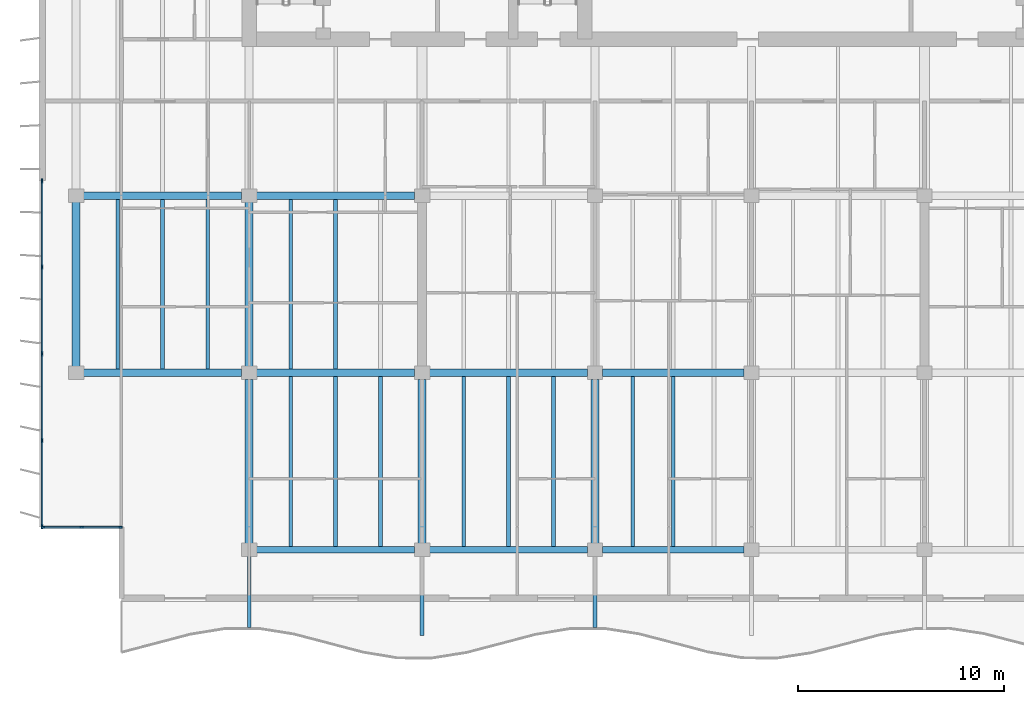
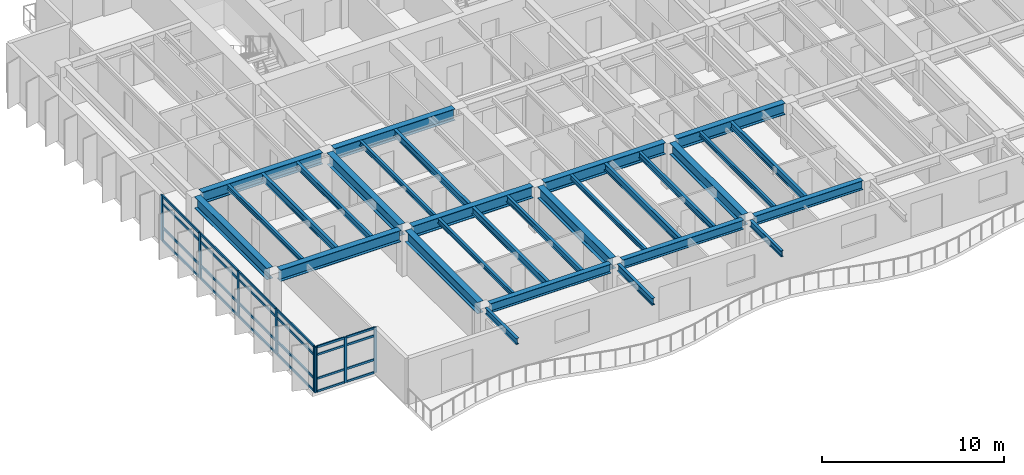
# One storey, part 2 of 16: 32 members, 30 beams, 2 elements without a shape of their own.
"""IFC4 building model written with IfcOpenShell, lengths in metres."""

from ifc_helpers import new_model, si_unit, direction, frame, origin, origin_2d, place, context, subcontext, project, spatial, rectangle, i_section, extrude, material, layer, layer_set, material_profile, profile_set, type_object, element, aggregate, save


model = new_model("IFC4")

# Units and contexts
model_context = context("Model", 3, precision=1e-05, world=origin(), true_north=direction((0.0, 1.0)))
body_context = subcontext(model_context, "Body", "Model", "MODEL_VIEW")
ifc_project = project(units=[si_unit("LENGTHUNIT", "METRE"), si_unit("AREAUNIT", "SQUARE_METRE"), si_unit("VOLUMEUNIT", "CUBIC_METRE"), si_unit("PLANEANGLEUNIT", "RADIAN"), si_unit("MASSUNIT", "GRAM", prefix="KILO")], contexts=[model_context])

# Site, building, storey
site_placement = place(None, origin())
site = spatial("IfcSite", under=ifc_project, at=site_placement, CompositionType="ELEMENT")
building_placement = place(site_placement, origin())
building = spatial("IfcBuilding", under=site, at=building_placement, Name="Caelmar Bay Residences", CompositionType="ELEMENT")
storey_placement = place(building_placement, frame((0.0, 0.0, 233.10009765625)))
storey = spatial("IfcBuildingStorey", under=building, at=storey_placement, Name="L65", CompositionType="ELEMENT", Elevation=233.10009765625)

# Beams
ifc_material_1 = material(Name="Steel ASTM A992 Grade 50", Category="steel")
ifc_material_profile_1 = material_profile(ifc_material_1, i_section(OverallWidth=0.177978515625, OverallDepth=0.406005859375, WebThickness=0.0078125, FlangeThickness=0.0126953125, FilletRadius=0.0087890625, at=origin_2d()), Name="W16X40")
ifc_profile_set_1 = profile_set([ifc_material_profile_1], Name="Steel ASTM A992 Grade 50")
beam_type_1 = type_object("IfcBeamType", Name="BM-BAL-W16X40", PredefinedType="JOIST", material=ifc_profile_set_1)
for number, where, z_axis, x_axis, name in (
    (1, (24.68408203125, 12.362548828125, 2.846923828125), (0.0, 1.0, 0.0), (-1.0, 0.0, 0.0), "L65 Composite Floor Joist 3"),
    (2, (33.083984375, 12.362548828125, 2.846923828125), (0.0, 1.0, 0.0), (-1.0, 0.0, 0.0), "L65 Composite Floor Joist 6"),
):
    element("IfcBeam", number, at=place(storey_placement, frame(where, z_axis=z_axis, x_axis=x_axis)), inside=storey, type_object=beam_type_1, Name=name, PredefinedType="JOIST", context=body_context, shape_type="SweptSolid", body=[
        extrude(i_section(OverallWidth=0.177978515625, OverallDepth=0.406005859375, WebThickness=0.0078125, FlangeThickness=0.0126953125, FilletRadius=0.0087890625, at=origin_2d()), origin(), (0.0, 0.0, 1.0), 8.2470703125),
    ])
beam_1_placement = place(storey_placement, frame((16.283935546875, 20.990478515625, 2.846923828125), z_axis=(0.0, 1.0, 0.0), x_axis=(-1.0, 0.0, 0.0)))
element("IfcBeam", 3, at=beam_1_placement, inside=storey, type_object=beam_type_1, Name="L65 Composite Floor Joist 18", PredefinedType="JOIST", context=body_context, shape_type="SweptSolid", body=[
    extrude(i_section(OverallWidth=0.177978515625, OverallDepth=0.406005859375, WebThickness=0.0078125, FlangeThickness=0.0126953125, FilletRadius=0.0087890625, at=origin_2d()), origin(), (0.0, 0.0, 1.0), 8.218994140625),
])
for number, where, z_axis, x_axis, name in (
    (4, (18.300048828125, 11.885009765625, 2.846923828125), (0.0, -1.0, 0.0), (1.0, 0.0, 0.0), "L66 South Balcony Cantilever Bracket 1"),
    (5, (35.10009765625, 11.885009765625, 2.846923828125), (0.0, -1.0, 0.0), (1.0, 0.0, 0.0), "L66 South Balcony Cantilever Bracket 3"),
):
    element("IfcBeam", number, at=place(storey_placement, frame(where, z_axis=z_axis, x_axis=x_axis)), inside=storey, type_object=beam_type_1, Name=name, PredefinedType="JOIST", context=body_context, shape_type="SweptSolid", body=[
        extrude(i_section(OverallWidth=0.177978515625, OverallDepth=0.406005859375, WebThickness=0.0078125, FlangeThickness=0.0126953125, FilletRadius=0.0087890625, at=origin_2d()), origin(), (0.0, 0.0, 1.0), 3.449951171875),
    ])
ifc_material_profile_2 = material_profile(ifc_material_1, i_section(OverallWidth=0.193115234375, OverallDepth=0.467041015625, WebThickness=0.011474609375, FlangeThickness=0.01904296875, FilletRadius=0.01025390625, at=origin_2d()), Name="W18X65")
ifc_profile_set_2 = profile_set([ifc_material_profile_2], Name="Steel ASTM A992 Grade 50")
beam_type_2 = type_object("IfcBeamType", Name="BM-BAL-W18X65", PredefinedType="BEAM", material=ifc_profile_set_2)
beam_2_placement = place(storey_placement, frame((26.699951171875, 11.885009765625, 2.81640625), z_axis=(0.0, -1.0, 0.0), x_axis=(1.0, 0.0, 0.0)))
element("IfcBeam", 6, at=beam_2_placement, inside=storey, type_object=beam_type_2, Name="L66 South Balcony Cantilever Bracket 2", PredefinedType="BEAM", context=body_context, shape_type="SweptSolid", body=[
    extrude(i_section(OverallWidth=0.193115234375, OverallDepth=0.467041015625, WebThickness=0.011474609375, FlangeThickness=0.01904296875, FilletRadius=0.01025390625, at=origin_2d()), origin(), (0.0, 0.0, 1.0), 3.85009765625),
])
ifc_material_profile_3 = material_profile(ifc_material_1, i_section(OverallWidth=0.381103515625, OverallDepth=0.77197265625, WebThickness=0.0166015625, FlangeThickness=0.027099609375, FilletRadius=0.0166015625, at=origin_2d()), Name="W30X173")
ifc_profile_set_3 = profile_set([ifc_material_profile_3], Name="Steel ASTM A992 Grade 50")
beam_type_3 = type_object("IfcBeamType", Name="BM-GRD-W30X173", PredefinedType="BEAM", material=ifc_profile_set_3)
beam_3_placement = place(storey_placement, frame((10.264892578125, 20.800048828125, 2.663818359375), z_axis=(1.0, 0.0, 0.0), x_axis=(0.0, 1.0, 0.0)))
element("IfcBeam", 7, at=beam_3_placement, inside=storey, type_object=beam_type_3, Name="L65 East-West Girder Y=20.80 (9.9-18.3)", PredefinedType="BEAM", context=body_context, shape_type="SweptSolid", body=[
    extrude(i_section(OverallWidth=0.381103515625, OverallDepth=0.77197265625, WebThickness=0.0166015625, FlangeThickness=0.027099609375, FilletRadius=0.0166015625, at=origin_2d()), origin(), (0.0, 0.0, 1.0), 7.670166015625),
])
beam_4_placement = place(storey_placement, frame((18.6650390625, 20.800048828125, 2.663818359375), z_axis=(1.0, 0.0, 0.0), x_axis=(0.0, 1.0, 0.0)))
element("IfcBeam", 8, at=beam_4_placement, inside=storey, type_object=beam_type_3, Name="L65 East-West Girder Y=20.80 (18.3-26.7)", PredefinedType="BEAM", context=body_context, shape_type="SweptSolid", body=[
    extrude(i_section(OverallWidth=0.381103515625, OverallDepth=0.77197265625, WebThickness=0.0166015625, FlangeThickness=0.027099609375, FilletRadius=0.0166015625, at=origin_2d()), origin(), (0.0, 0.0, 1.0), 7.669921875),
])
beam_5_placement = place(storey_placement, frame((27.06494140625, 20.800048828125, 2.663818359375), z_axis=(1.0, 0.0, 0.0), x_axis=(0.0, 1.0, 0.0)))
element("IfcBeam", 9, at=beam_5_placement, inside=storey, type_object=beam_type_3, Name="L65 East-West Girder Y=20.80 (26.7-35.1)", PredefinedType="BEAM", context=body_context, shape_type="SweptSolid", body=[
    extrude(i_section(OverallWidth=0.381103515625, OverallDepth=0.77197265625, WebThickness=0.0166015625, FlangeThickness=0.027099609375, FilletRadius=0.0166015625, at=origin_2d()), origin(), (0.0, 0.0, 1.0), 7.670166015625),
])
beam_6_placement = place(storey_placement, frame((35.465087890625, 20.800048828125, 2.663818359375), z_axis=(1.0, 0.0, 0.0), x_axis=(0.0, 1.0, 0.0)))
element("IfcBeam", 10, at=beam_6_placement, inside=storey, type_object=beam_type_3, Name="L65 East-West Girder Y=20.80 (35.1-42.7)", PredefinedType="BEAM", context=body_context, shape_type="SweptSolid", body=[
    extrude(i_section(OverallWidth=0.381103515625, OverallDepth=0.77197265625, WebThickness=0.0166015625, FlangeThickness=0.027099609375, FilletRadius=0.0166015625, at=origin_2d()), origin(), (0.0, 0.0, 1.0), 6.869873046875),
])
beam_7_placement = place(storey_placement, frame((10.264892578125, 29.39990234375, 2.663818359375), z_axis=(1.0, 0.0, 0.0), x_axis=(0.0, 1.0, 0.0)))
element("IfcBeam", 11, at=beam_7_placement, inside=storey, type_object=beam_type_3, Name="L65 East-West Girder Y=29.40 (9.9-18.3)", PredefinedType="BEAM", context=body_context, shape_type="SweptSolid", body=[
    extrude(i_section(OverallWidth=0.381103515625, OverallDepth=0.77197265625, WebThickness=0.0166015625, FlangeThickness=0.027099609375, FilletRadius=0.0166015625, at=origin_2d()), origin(), (0.0, 0.0, 1.0), 7.670166015625),
])
beam_8_placement = place(storey_placement, frame((18.6650390625, 29.39990234375, 2.663818359375), z_axis=(1.0, 0.0, 0.0), x_axis=(0.0, 1.0, 0.0)))
element("IfcBeam", 12, at=beam_8_placement, inside=storey, type_object=beam_type_3, Name="L65 East-West Girder Y=29.40 (18.3-26.7)", PredefinedType="BEAM", context=body_context, shape_type="SweptSolid", body=[
    extrude(i_section(OverallWidth=0.381103515625, OverallDepth=0.77197265625, WebThickness=0.0166015625, FlangeThickness=0.027099609375, FilletRadius=0.0166015625, at=origin_2d()), origin(), (0.0, 0.0, 1.0), 7.669921875),
])
beam_9_placement = place(storey_placement, frame((9.89990234375, 21.114990234375, 2.663818359375), z_axis=(0.0, 1.0, 0.0), x_axis=(-1.0, 0.0, 0.0)))
element("IfcBeam", 13, at=beam_9_placement, inside=storey, type_object=beam_type_3, Name="L65 North-South Girder X=9.90 (20.8-29.4)", PredefinedType="BEAM", context=body_context, shape_type="SweptSolid", body=[
    extrude(i_section(OverallWidth=0.381103515625, OverallDepth=0.77197265625, WebThickness=0.0166015625, FlangeThickness=0.027099609375, FilletRadius=0.0166015625, at=origin_2d()), origin(), (0.0, 0.0, 1.0), 7.969970703125),
])
beam_10_placement = place(storey_placement, frame((18.300048828125, 12.514892578125, 2.663818359375), z_axis=(0.0, 1.0, 0.0), x_axis=(-1.0, 0.0, 0.0)))
element("IfcBeam", 14, at=beam_10_placement, inside=storey, type_object=beam_type_3, Name="L65 North-South Girder X=18.30 (12.2-20.8)", PredefinedType="BEAM", context=body_context, shape_type="SweptSolid", body=[
    extrude(i_section(OverallWidth=0.381103515625, OverallDepth=0.77197265625, WebThickness=0.0166015625, FlangeThickness=0.027099609375, FilletRadius=0.0166015625, at=origin_2d()), origin(), (0.0, 0.0, 1.0), 7.97021484375),
])
beam_11_placement = place(storey_placement, frame((18.300048828125, 21.114990234375, 2.663818359375), z_axis=(0.0, 1.0, 0.0), x_axis=(-1.0, 0.0, 0.0)))
element("IfcBeam", 15, at=beam_11_placement, inside=storey, type_object=beam_type_3, Name="L65 North-South Girder X=18.30 (20.8-29.4)", PredefinedType="BEAM", context=body_context, shape_type="SweptSolid", body=[
    extrude(i_section(OverallWidth=0.381103515625, OverallDepth=0.77197265625, WebThickness=0.0166015625, FlangeThickness=0.027099609375, FilletRadius=0.0166015625, at=origin_2d()), origin(), (0.0, 0.0, 1.0), 7.969970703125),
])
for number, where, z_axis, x_axis, name in (
    (16, (26.699951171875, 12.514892578125, 2.663818359375), (0.0, 1.0, 0.0), (-1.0, 0.0, 0.0), "L65 North-South Girder X=26.70 (12.2-20.8)"),
    (17, (35.10009765625, 12.514892578125, 2.663818359375), (0.0, 1.0, 0.0), (-1.0, 0.0, 0.0), "L65 North-South Girder X=35.10 (12.2-20.8)"),
):
    element("IfcBeam", number, at=place(storey_placement, frame(where, z_axis=z_axis, x_axis=x_axis)), inside=storey, type_object=beam_type_3, Name=name, PredefinedType="BEAM", context=body_context, shape_type="SweptSolid", body=[
        extrude(i_section(OverallWidth=0.381103515625, OverallDepth=0.77197265625, WebThickness=0.0166015625, FlangeThickness=0.027099609375, FilletRadius=0.0166015625, at=origin_2d()), origin(), (0.0, 0.0, 1.0), 7.97021484375),
    ])
ifc_material_profile_4 = material_profile(ifc_material_1, i_section(OverallWidth=0.1650390625, OverallDepth=0.31005859375, WebThickness=0.005859375, FlangeThickness=0.009765625, FilletRadius=0.007568359375, at=origin_2d()), Name="W12X26")
ifc_profile_set_4 = profile_set([ifc_material_profile_4], Name="Steel ASTM A992 Grade 50")
beam_type_4 = type_object("IfcBeamType", Name="BM-JST-W12X26", PredefinedType="JOIST", material=ifc_profile_set_4)
for number, where, z_axis, x_axis, name in (
    (18, (20.31591796875, 12.362548828125, 2.89501953125), (0.0, 1.0, 0.0), (-1.0, 0.0, 0.0), "L65 Composite Floor Joist 1"),
    (19, (28.716064453125, 12.362548828125, 2.89501953125), (0.0, 1.0, 0.0), (-1.0, 0.0, 0.0), "L65 Composite Floor Joist 4"),
    (20, (36.924072265625, 12.362548828125, 2.89501953125), (0.0, 1.0, 0.0), (-1.0, 0.0, 0.0), "L65 Composite Floor Joist 7"),
):
    element("IfcBeam", number, at=place(storey_placement, frame(where, z_axis=z_axis, x_axis=x_axis)), inside=storey, type_object=beam_type_4, Name=name, PredefinedType="JOIST", context=body_context, shape_type="SweptSolid", body=[
        extrude(i_section(OverallWidth=0.1650390625, OverallDepth=0.31005859375, WebThickness=0.005859375, FlangeThickness=0.009765625, FilletRadius=0.007568359375, at=origin_2d()), origin(), (0.0, 0.0, 1.0), 8.2470703125),
    ])
for number, where, z_axis, x_axis, name in (
    (21, (11.916015625, 20.990478515625, 2.89501953125), (0.0, 1.0, 0.0), (-1.0, 0.0, 0.0), "L65 Composite Floor Joist 16"),
    (22, (20.31591796875, 20.990478515625, 2.89501953125), (0.0, 1.0, 0.0), (-1.0, 0.0, 0.0), "L65 Composite Floor Joist 19"),
):
    element("IfcBeam", number, at=place(storey_placement, frame(where, z_axis=z_axis, x_axis=x_axis)), inside=storey, type_object=beam_type_4, Name=name, PredefinedType="JOIST", context=body_context, shape_type="SweptSolid", body=[
        extrude(i_section(OverallWidth=0.1650390625, OverallDepth=0.31005859375, WebThickness=0.005859375, FlangeThickness=0.009765625, FilletRadius=0.007568359375, at=origin_2d()), origin(), (0.0, 0.0, 1.0), 8.218994140625),
    ])
ifc_material_profile_5 = material_profile(ifc_material_1, i_section(OverallWidth=0.19091796875, OverallDepth=0.45703125, WebThickness=0.009033203125, FlangeThickness=0.014404296875, FilletRadius=0.01025390625, at=origin_2d()), Name="W18X50")
ifc_profile_set_5 = profile_set([ifc_material_profile_5], Name="Steel ASTM A992 Grade 50")
beam_type_5 = type_object("IfcBeamType", Name="BM-JST-W18X50", PredefinedType="JOIST", material=ifc_profile_set_5)
for number, where, z_axis, x_axis, name in (
    (23, (22.5, 12.362548828125, 2.8212890625), (0.0, 1.0, 0.0), (-1.0, 0.0, 0.0), "L65 Composite Floor Joist 2"),
    (24, (30.89990234375, 12.362548828125, 2.8212890625), (0.0, 1.0, 0.0), (-1.0, 0.0, 0.0), "L65 Composite Floor Joist 5"),
    (25, (38.89990234375, 12.362548828125, 2.8212890625), (0.0, 1.0, 0.0), (-1.0, 0.0, 0.0), "L65 Composite Floor Joist 8"),
):
    element("IfcBeam", number, at=place(storey_placement, frame(where, z_axis=z_axis, x_axis=x_axis)), inside=storey, type_object=beam_type_5, Name=name, PredefinedType="JOIST", context=body_context, shape_type="SweptSolid", body=[
        extrude(i_section(OverallWidth=0.19091796875, OverallDepth=0.45703125, WebThickness=0.009033203125, FlangeThickness=0.014404296875, FilletRadius=0.01025390625, at=origin_2d()), origin(), (0.0, 0.0, 1.0), 8.2470703125),
    ])
for number, where, z_axis, x_axis, name in (
    (26, (14.10009765625, 20.990478515625, 2.8212890625), (0.0, 1.0, 0.0), (-1.0, 0.0, 0.0), "L65 Composite Floor Joist 17"),
    (27, (22.5, 20.990478515625, 2.8212890625), (0.0, 1.0, 0.0), (-1.0, 0.0, 0.0), "L65 Composite Floor Joist 20"),
):
    element("IfcBeam", number, at=place(storey_placement, frame(where, z_axis=z_axis, x_axis=x_axis)), inside=storey, type_object=beam_type_5, Name=name, PredefinedType="JOIST", context=body_context, shape_type="SweptSolid", body=[
        extrude(i_section(OverallWidth=0.19091796875, OverallDepth=0.45703125, WebThickness=0.009033203125, FlangeThickness=0.014404296875, FilletRadius=0.01025390625, at=origin_2d()), origin(), (0.0, 0.0, 1.0), 8.218994140625),
    ])
ifc_material_profile_6 = material_profile(ifc_material_1, i_section(OverallWidth=0.324951171875, OverallDepth=0.616943359375, WebThickness=0.013916015625, FlangeThickness=0.021484375, FilletRadius=0.0126953125, at=origin_2d()), Name="W24X117")
ifc_profile_set_6 = profile_set([ifc_material_profile_6], Name="Steel ASTM A992 Grade 50")
beam_type_6 = type_object("IfcBeamType", Name="BM-SPN-W24X117", PredefinedType="SPANDREL", material=ifc_profile_set_6)
beam_12_placement = place(storey_placement, frame((18.6650390625, 12.199951171875, 2.741455078125), z_axis=(1.0, 0.0, 0.0), x_axis=(0.0, 1.0, 0.0)))
element("IfcBeam", 28, at=beam_12_placement, inside=storey, type_object=beam_type_6, Name="L65 East-West Girder Y=12.20 (18.3-26.7)", PredefinedType="SPANDREL", context=body_context, shape_type="SweptSolid", body=[
    extrude(i_section(OverallWidth=0.324951171875, OverallDepth=0.616943359375, WebThickness=0.013916015625, FlangeThickness=0.021484375, FilletRadius=0.0126953125, at=origin_2d()), origin(), (0.0, 0.0, 1.0), 7.669921875),
])
beam_13_placement = place(storey_placement, frame((27.06494140625, 12.199951171875, 2.741455078125), z_axis=(1.0, 0.0, 0.0), x_axis=(0.0, 1.0, 0.0)))
element("IfcBeam", 29, at=beam_13_placement, inside=storey, type_object=beam_type_6, Name="L65 East-West Girder Y=12.20 (26.7-35.1)", PredefinedType="SPANDREL", context=body_context, shape_type="SweptSolid", body=[
    extrude(i_section(OverallWidth=0.324951171875, OverallDepth=0.616943359375, WebThickness=0.013916015625, FlangeThickness=0.021484375, FilletRadius=0.0126953125, at=origin_2d()), origin(), (0.0, 0.0, 1.0), 7.670166015625),
])
beam_14_placement = place(storey_placement, frame((35.465087890625, 12.199951171875, 2.741455078125), z_axis=(1.0, 0.0, 0.0), x_axis=(0.0, 1.0, 0.0)))
element("IfcBeam", 30, at=beam_14_placement, inside=storey, type_object=beam_type_6, Name="L65 East-West Girder Y=12.20 (35.1-42.7)", PredefinedType="SPANDREL", context=body_context, shape_type="SweptSolid", body=[
    extrude(i_section(OverallWidth=0.324951171875, OverallDepth=0.616943359375, WebThickness=0.013916015625, FlangeThickness=0.021484375, FilletRadius=0.0126953125, at=origin_2d()), origin(), (0.0, 0.0, 1.0), 6.869873046875),
])

# Curtain wall, members
ifc_material_2 = material(Name="Anodised bronze aluminium 6063-T6 and laminated glass", Category="aluminium")
ifc_layer_1 = layer(ifc_material_2, 0.179931640625)
ifc_layer_set_1 = layer_set([ifc_layer_1], Name="Anodised bronze aluminium 6063-T6 and laminated glass")
curtain_wall_type_1 = type_object("IfcCurtainWallType", Name="CW6-NTC", PredefinedType="NOTDEFINED", material=ifc_layer_set_1)
curtain_wall_1_placement = place(storey_placement, origin())
curtain_wall_1 = element("IfcCurtainWall", 31, at=curtain_wall_1_placement, inside=storey, type_object=curtain_wall_type_1, Name="CW6 curtain wall L65", PredefinedType="NOTDEFINED")
ifc_material_3 = material(Name="Anodised bronze aluminium 6063-T6", Category="aluminium")
ifc_material_profile_7 = material_profile(ifc_material_3, rectangle(XDim=0.080078125, YDim=0.179931640625, at=origin_2d()), Name="CWM-80X180")
ifc_profile_set_7 = profile_set([ifc_material_profile_7], Name="Anodised bronze aluminium 6063-T6")
member_type_1 = type_object("IfcMemberType", Name="CWM-180", PredefinedType="MULLION", material=ifc_profile_set_7)
member_1_placement = place(storey_placement, frame((8.2900390625, 13.300048828125, 0.0), z_axis=(0.0, 0.0, 1.0), x_axis=(0.0, 1.0, 0.0)))
member_1 = element("IfcMember", 32, at=member_1_placement, type_object=member_type_1, Name="CW6 mullion 1", PredefinedType="MULLION", context=body_context, shape_type="SweptSolid", body=[
    extrude(rectangle(XDim=0.080078125, YDim=0.179931640625, at=origin_2d()), origin(), (0.0, 0.0, 1.0), 3.0498046875),
])
member_2_placement = place(storey_placement, frame((10.175048828125, 13.300048828125, 0.0), z_axis=(0.0, 0.0, 1.0), x_axis=(0.0, 1.0, 0.0)))
member_2 = element("IfcMember", 33, at=member_2_placement, type_object=member_type_1, Name="CW6 mullion 2", PredefinedType="MULLION", context=body_context, shape_type="SweptSolid", body=[
    extrude(rectangle(XDim=0.080078125, YDim=0.179931640625, at=origin_2d()), origin(), (0.0, 0.0, 1.0), 3.0498046875),
])
member_3_placement = place(storey_placement, frame((12.06005859375, 13.300048828125, 0.0), z_axis=(0.0, 0.0, 1.0), x_axis=(0.0, 1.0, 0.0)))
member_3 = element("IfcMember", 34, at=member_3_placement, type_object=member_type_1, Name="CW6 mullion 3", PredefinedType="MULLION", context=body_context, shape_type="SweptSolid", body=[
    extrude(rectangle(XDim=0.080078125, YDim=0.179931640625, at=origin_2d()), origin(), (0.0, 0.0, 1.0), 3.0498046875),
])

ifc_layer_2 = layer(ifc_material_2, 0.179931640625)
ifc_layer_set_2 = layer_set([ifc_layer_2], Name="Anodised bronze aluminium 6063-T6 and laminated glass")
curtain_wall_type_2 = type_object("IfcCurtainWallType", Name="CW5-Z4", PredefinedType="NOTDEFINED", material=ifc_layer_set_2)
curtain_wall_2_placement = place(storey_placement, origin())
curtain_wall_2 = element("IfcCurtainWall", 35, at=curtain_wall_2_placement, inside=storey, type_object=curtain_wall_type_2, Name="CW5 curtain wall L65", PredefinedType="NOTDEFINED")
ifc_material_profile_8 = material_profile(ifc_material_3, rectangle(XDim=0.080078125, YDim=0.219970703125, at=origin_2d()), Name="CWM-80X220")
ifc_profile_set_8 = profile_set([ifc_material_profile_8], Name="Anodised bronze aluminium 6063-T6")
member_type_2 = type_object("IfcMemberType", Name="CWM-220", PredefinedType="MULLION", material=ifc_profile_set_8)
member_4_placement = place(storey_placement, frame((8.25, 13.340087890625, 0.0), z_axis=(0.0, 0.0, 1.0), x_axis=(-1.0, 0.0, 0.0)))
member_4 = element("IfcMember", 36, at=member_4_placement, type_object=member_type_2, Name="CW5 mullion 1", PredefinedType="MULLION", context=body_context, shape_type="SweptSolid", body=[
    extrude(rectangle(XDim=0.080078125, YDim=0.219970703125, at=origin_2d()), origin(), (0.0, 0.0, 1.0), 3.0498046875),
])
member_5_placement = place(storey_placement, frame((8.25, 17.512451171875, 0.0), z_axis=(0.0, 0.0, 1.0), x_axis=(-1.0, 0.0, 0.0)))
member_5 = element("IfcMember", 37, at=member_5_placement, type_object=member_type_2, Name="CW5 mullion 2", PredefinedType="MULLION", context=body_context, shape_type="SweptSolid", body=[
    extrude(rectangle(XDim=0.080078125, YDim=0.219970703125, at=origin_2d()), origin(), (0.0, 0.0, 1.0), 3.0498046875),
])
member_6_placement = place(storey_placement, frame((8.25, 21.72509765625, 0.0), z_axis=(0.0, 0.0, 1.0), x_axis=(-1.0, 0.0, 0.0)))
member_6 = element("IfcMember", 38, at=member_6_placement, type_object=member_type_2, Name="CW5 mullion 3", PredefinedType="MULLION", context=body_context, shape_type="SweptSolid", body=[
    extrude(rectangle(XDim=0.080078125, YDim=0.219970703125, at=origin_2d()), origin(), (0.0, 0.0, 1.0), 3.0498046875),
])
member_7_placement = place(storey_placement, frame((8.25, 25.9375, 0.0), z_axis=(0.0, 0.0, 1.0), x_axis=(-1.0, 0.0, 0.0)))
member_7 = element("IfcMember", 39, at=member_7_placement, type_object=member_type_2, Name="CW5 mullion 4", PredefinedType="MULLION", context=body_context, shape_type="SweptSolid", body=[
    extrude(rectangle(XDim=0.080078125, YDim=0.219970703125, at=origin_2d()), origin(), (0.0, 0.0, 1.0), 3.0498046875),
])
member_8_placement = place(storey_placement, frame((8.25, 30.110107421875, 0.0), z_axis=(0.0, 0.0, 1.0), x_axis=(-1.0, 0.0, 0.0)))
member_8 = element("IfcMember", 40, at=member_8_placement, type_object=member_type_2, Name="CW5 mullion 5", PredefinedType="MULLION", context=body_context, shape_type="SweptSolid", body=[
    extrude(rectangle(XDim=0.080078125, YDim=0.219970703125, at=origin_2d()), origin(), (0.0, 0.0, 1.0), 3.0498046875),
])

# Member
ifc_material_profile_9 = material_profile(ifc_material_3, rectangle(XDim=0.080078125, YDim=0.139892578125, at=origin_2d()), Name="CWT-80X140")
ifc_profile_set_9 = profile_set([ifc_material_profile_9], Name="Anodised bronze aluminium 6063-T6")
member_type_3 = type_object("IfcMemberType", Name="CWT-140", PredefinedType="NOTDEFINED", material=ifc_profile_set_9)
member_9_placement = place(storey_placement, frame((8.330078125, 13.300048828125, 0.039794921875), z_axis=(1.0, 0.0, 0.0), x_axis=(0.0, 1.0, 0.0)))
member_9 = element("IfcMember", 41, at=member_9_placement, type_object=member_type_3, Name="CW6 transom 1.1", ObjectType="TRANSOM", PredefinedType="USERDEFINED", context=body_context, shape_type="SweptSolid", body=[
    extrude(rectangle(XDim=0.080078125, YDim=0.139892578125, at=origin_2d()), origin(), (0.0, 0.0, 1.0), 1.804931640625),
])

member_10_placement = place(storey_placement, frame((8.330078125, 13.300048828125, 0.89990234375), z_axis=(1.0, 0.0, 0.0), x_axis=(0.0, 1.0, 0.0)))
member_10 = element("IfcMember", 42, at=member_10_placement, type_object=member_type_3, Name="CW6 transom 1.2", ObjectType="TRANSOM", PredefinedType="USERDEFINED", context=body_context, shape_type="SweptSolid", body=[
    extrude(rectangle(XDim=0.080078125, YDim=0.139892578125, at=origin_2d()), origin(), (0.0, 0.0, 1.0), 1.804931640625),
])

member_11_placement = place(storey_placement, frame((8.330078125, 13.300048828125, 2.5), z_axis=(1.0, 0.0, 0.0), x_axis=(0.0, 1.0, 0.0)))
member_11 = element("IfcMember", 43, at=member_11_placement, type_object=member_type_3, Name="CW6 transom 1.3", ObjectType="TRANSOM", PredefinedType="USERDEFINED", context=body_context, shape_type="SweptSolid", body=[
    extrude(rectangle(XDim=0.080078125, YDim=0.139892578125, at=origin_2d()), origin(), (0.0, 0.0, 1.0), 1.804931640625),
])

member_12_placement = place(storey_placement, frame((8.330078125, 13.300048828125, 3.010009765625), z_axis=(1.0, 0.0, 0.0), x_axis=(0.0, 1.0, 0.0)))
member_12 = element("IfcMember", 44, at=member_12_placement, type_object=member_type_3, Name="CW6 transom 1.4", ObjectType="TRANSOM", PredefinedType="USERDEFINED", context=body_context, shape_type="SweptSolid", body=[
    extrude(rectangle(XDim=0.080078125, YDim=0.139892578125, at=origin_2d()), origin(), (0.0, 0.0, 1.0), 1.804931640625),
])

member_13_placement = place(storey_placement, frame((10.215087890625, 13.300048828125, 0.039794921875), z_axis=(1.0, 0.0, 0.0), x_axis=(0.0, 1.0, 0.0)))
member_13 = element("IfcMember", 45, at=member_13_placement, type_object=member_type_3, Name="CW6 transom 2.1", ObjectType="TRANSOM", PredefinedType="USERDEFINED", context=body_context, shape_type="SweptSolid", body=[
    extrude(rectangle(XDim=0.080078125, YDim=0.139892578125, at=origin_2d()), origin(), (0.0, 0.0, 1.0), 1.804931640625),
])

member_14_placement = place(storey_placement, frame((10.215087890625, 13.300048828125, 0.89990234375), z_axis=(1.0, 0.0, 0.0), x_axis=(0.0, 1.0, 0.0)))
member_14 = element("IfcMember", 46, at=member_14_placement, type_object=member_type_3, Name="CW6 transom 2.2", ObjectType="TRANSOM", PredefinedType="USERDEFINED", context=body_context, shape_type="SweptSolid", body=[
    extrude(rectangle(XDim=0.080078125, YDim=0.139892578125, at=origin_2d()), origin(), (0.0, 0.0, 1.0), 1.804931640625),
])

member_15_placement = place(storey_placement, frame((10.215087890625, 13.300048828125, 2.5), z_axis=(1.0, 0.0, 0.0), x_axis=(0.0, 1.0, 0.0)))
member_15 = element("IfcMember", 47, at=member_15_placement, type_object=member_type_3, Name="CW6 transom 2.3", ObjectType="TRANSOM", PredefinedType="USERDEFINED", context=body_context, shape_type="SweptSolid", body=[
    extrude(rectangle(XDim=0.080078125, YDim=0.139892578125, at=origin_2d()), origin(), (0.0, 0.0, 1.0), 1.804931640625),
])

member_16_placement = place(storey_placement, frame((10.215087890625, 13.300048828125, 3.010009765625), z_axis=(1.0, 0.0, 0.0), x_axis=(0.0, 1.0, 0.0)))
member_16 = element("IfcMember", 48, at=member_16_placement, type_object=member_type_3, Name="CW6 transom 2.4", ObjectType="TRANSOM", PredefinedType="USERDEFINED", context=body_context, shape_type="SweptSolid", body=[
    extrude(rectangle(XDim=0.080078125, YDim=0.139892578125, at=origin_2d()), origin(), (0.0, 0.0, 1.0), 1.804931640625),
])

aggregate(curtain_wall_1, [member_1, member_2, member_3, member_9, member_10, member_11, member_12, member_13, member_14, member_15, member_16])

ifc_material_profile_10 = material_profile(ifc_material_3, rectangle(XDim=0.080078125, YDim=0.159912109375, at=origin_2d()), Name="CWT-80X160")
ifc_profile_set_10 = profile_set([ifc_material_profile_10], Name="Anodised bronze aluminium 6063-T6")
member_type_4 = type_object("IfcMemberType", Name="CWT-160", PredefinedType="NOTDEFINED", material=ifc_profile_set_10)
member_17_placement = place(storey_placement, frame((8.25, 13.3798828125, 0.039794921875), z_axis=(0.0, 1.0, 0.0), x_axis=(-1.0, 0.0, 0.0)))
member_17 = element("IfcMember", 49, at=member_17_placement, type_object=member_type_4, Name="CW5 transom 1.1", ObjectType="TRANSOM", PredefinedType="USERDEFINED", context=body_context, shape_type="SweptSolid", body=[
    extrude(rectangle(XDim=0.080078125, YDim=0.159912109375, at=origin_2d()), origin(), (0.0, 0.0, 1.0), 4.092529296875),
])

member_18_placement = place(storey_placement, frame((8.25, 13.3798828125, 0.89990234375), z_axis=(0.0, 1.0, 0.0), x_axis=(-1.0, 0.0, 0.0)))
member_18 = element("IfcMember", 50, at=member_18_placement, type_object=member_type_4, Name="CW5 transom 1.2", ObjectType="TRANSOM", PredefinedType="USERDEFINED", context=body_context, shape_type="SweptSolid", body=[
    extrude(rectangle(XDim=0.080078125, YDim=0.159912109375, at=origin_2d()), origin(), (0.0, 0.0, 1.0), 4.092529296875),
])

member_19_placement = place(storey_placement, frame((8.25, 13.3798828125, 2.5), z_axis=(0.0, 1.0, 0.0), x_axis=(-1.0, 0.0, 0.0)))
member_19 = element("IfcMember", 51, at=member_19_placement, type_object=member_type_4, Name="CW5 transom 1.3", ObjectType="TRANSOM", PredefinedType="USERDEFINED", context=body_context, shape_type="SweptSolid", body=[
    extrude(rectangle(XDim=0.080078125, YDim=0.159912109375, at=origin_2d()), origin(), (0.0, 0.0, 1.0), 4.092529296875),
])

member_20_placement = place(storey_placement, frame((8.25, 13.3798828125, 3.010009765625), z_axis=(0.0, 1.0, 0.0), x_axis=(-1.0, 0.0, 0.0)))
member_20 = element("IfcMember", 52, at=member_20_placement, type_object=member_type_4, Name="CW5 transom 1.4", ObjectType="TRANSOM", PredefinedType="USERDEFINED", context=body_context, shape_type="SweptSolid", body=[
    extrude(rectangle(XDim=0.080078125, YDim=0.159912109375, at=origin_2d()), origin(), (0.0, 0.0, 1.0), 4.092529296875),
])

member_21_placement = place(storey_placement, frame((8.25, 17.552490234375, 0.039794921875), z_axis=(0.0, 1.0, 0.0), x_axis=(-1.0, 0.0, 0.0)))
member_21 = element("IfcMember", 53, at=member_21_placement, type_object=member_type_4, Name="CW5 transom 2.1", ObjectType="TRANSOM", PredefinedType="USERDEFINED", context=body_context, shape_type="SweptSolid", body=[
    extrude(rectangle(XDim=0.080078125, YDim=0.159912109375, at=origin_2d()), origin(), (0.0, 0.0, 1.0), 4.132568359375),
])

member_22_placement = place(storey_placement, frame((8.25, 17.552490234375, 0.89990234375), z_axis=(0.0, 1.0, 0.0), x_axis=(-1.0, 0.0, 0.0)))
member_22 = element("IfcMember", 54, at=member_22_placement, type_object=member_type_4, Name="CW5 transom 2.2", ObjectType="TRANSOM", PredefinedType="USERDEFINED", context=body_context, shape_type="SweptSolid", body=[
    extrude(rectangle(XDim=0.080078125, YDim=0.159912109375, at=origin_2d()), origin(), (0.0, 0.0, 1.0), 4.132568359375),
])

member_23_placement = place(storey_placement, frame((8.25, 17.552490234375, 2.5), z_axis=(0.0, 1.0, 0.0), x_axis=(-1.0, 0.0, 0.0)))
member_23 = element("IfcMember", 55, at=member_23_placement, type_object=member_type_4, Name="CW5 transom 2.3", ObjectType="TRANSOM", PredefinedType="USERDEFINED", context=body_context, shape_type="SweptSolid", body=[
    extrude(rectangle(XDim=0.080078125, YDim=0.159912109375, at=origin_2d()), origin(), (0.0, 0.0, 1.0), 4.132568359375),
])

member_24_placement = place(storey_placement, frame((8.25, 17.552490234375, 3.010009765625), z_axis=(0.0, 1.0, 0.0), x_axis=(-1.0, 0.0, 0.0)))
member_24 = element("IfcMember", 56, at=member_24_placement, type_object=member_type_4, Name="CW5 transom 2.4", ObjectType="TRANSOM", PredefinedType="USERDEFINED", context=body_context, shape_type="SweptSolid", body=[
    extrude(rectangle(XDim=0.080078125, YDim=0.159912109375, at=origin_2d()), origin(), (0.0, 0.0, 1.0), 4.132568359375),
])

member_25_placement = place(storey_placement, frame((8.25, 21.764892578125, 0.039794921875), z_axis=(0.0, 1.0, 0.0), x_axis=(-1.0, 0.0, 0.0)))
member_25 = element("IfcMember", 57, at=member_25_placement, type_object=member_type_4, Name="CW5 transom 3.1", ObjectType="TRANSOM", PredefinedType="USERDEFINED", context=body_context, shape_type="SweptSolid", body=[
    extrude(rectangle(XDim=0.080078125, YDim=0.159912109375, at=origin_2d()), origin(), (0.0, 0.0, 1.0), 4.132568359375),
])

member_26_placement = place(storey_placement, frame((8.25, 21.764892578125, 0.89990234375), z_axis=(0.0, 1.0, 0.0), x_axis=(-1.0, 0.0, 0.0)))
member_26 = element("IfcMember", 58, at=member_26_placement, type_object=member_type_4, Name="CW5 transom 3.2", ObjectType="TRANSOM", PredefinedType="USERDEFINED", context=body_context, shape_type="SweptSolid", body=[
    extrude(rectangle(XDim=0.080078125, YDim=0.159912109375, at=origin_2d()), origin(), (0.0, 0.0, 1.0), 4.132568359375),
])

member_27_placement = place(storey_placement, frame((8.25, 21.764892578125, 2.5), z_axis=(0.0, 1.0, 0.0), x_axis=(-1.0, 0.0, 0.0)))
member_27 = element("IfcMember", 59, at=member_27_placement, type_object=member_type_4, Name="CW5 transom 3.3", ObjectType="TRANSOM", PredefinedType="USERDEFINED", context=body_context, shape_type="SweptSolid", body=[
    extrude(rectangle(XDim=0.080078125, YDim=0.159912109375, at=origin_2d()), origin(), (0.0, 0.0, 1.0), 4.132568359375),
])

member_28_placement = place(storey_placement, frame((8.25, 21.764892578125, 3.010009765625), z_axis=(0.0, 1.0, 0.0), x_axis=(-1.0, 0.0, 0.0)))
member_28 = element("IfcMember", 60, at=member_28_placement, type_object=member_type_4, Name="CW5 transom 3.4", ObjectType="TRANSOM", PredefinedType="USERDEFINED", context=body_context, shape_type="SweptSolid", body=[
    extrude(rectangle(XDim=0.080078125, YDim=0.159912109375, at=origin_2d()), origin(), (0.0, 0.0, 1.0), 4.132568359375),
])

member_29_placement = place(storey_placement, frame((8.25, 25.9775390625, 0.039794921875), z_axis=(0.0, 1.0, 0.0), x_axis=(-1.0, 0.0, 0.0)))
member_29 = element("IfcMember", 61, at=member_29_placement, type_object=member_type_4, Name="CW5 transom 4.1", ObjectType="TRANSOM", PredefinedType="USERDEFINED", context=body_context, shape_type="SweptSolid", body=[
    extrude(rectangle(XDim=0.080078125, YDim=0.159912109375, at=origin_2d()), origin(), (0.0, 0.0, 1.0), 4.092529296875),
])

member_30_placement = place(storey_placement, frame((8.25, 25.9775390625, 0.89990234375), z_axis=(0.0, 1.0, 0.0), x_axis=(-1.0, 0.0, 0.0)))
member_30 = element("IfcMember", 62, at=member_30_placement, type_object=member_type_4, Name="CW5 transom 4.2", ObjectType="TRANSOM", PredefinedType="USERDEFINED", context=body_context, shape_type="SweptSolid", body=[
    extrude(rectangle(XDim=0.080078125, YDim=0.159912109375, at=origin_2d()), origin(), (0.0, 0.0, 1.0), 4.092529296875),
])

member_31_placement = place(storey_placement, frame((8.25, 25.9775390625, 2.5), z_axis=(0.0, 1.0, 0.0), x_axis=(-1.0, 0.0, 0.0)))
member_31 = element("IfcMember", 63, at=member_31_placement, type_object=member_type_4, Name="CW5 transom 4.3", ObjectType="TRANSOM", PredefinedType="USERDEFINED", context=body_context, shape_type="SweptSolid", body=[
    extrude(rectangle(XDim=0.080078125, YDim=0.159912109375, at=origin_2d()), origin(), (0.0, 0.0, 1.0), 4.092529296875),
])

member_32_placement = place(storey_placement, frame((8.25, 25.9775390625, 3.010009765625), z_axis=(0.0, 1.0, 0.0), x_axis=(-1.0, 0.0, 0.0)))
member_32 = element("IfcMember", 64, at=member_32_placement, type_object=member_type_4, Name="CW5 transom 4.4", ObjectType="TRANSOM", PredefinedType="USERDEFINED", context=body_context, shape_type="SweptSolid", body=[
    extrude(rectangle(XDim=0.080078125, YDim=0.159912109375, at=origin_2d()), origin(), (0.0, 0.0, 1.0), 4.092529296875),
])

aggregate(curtain_wall_2, [member_4, member_5, member_6, member_7, member_8, member_17, member_18, member_19, member_20, member_21, member_22, member_23, member_24, member_25, member_26, member_27, member_28, member_29, member_30, member_31, member_32])

save(model, "model.ifc")
